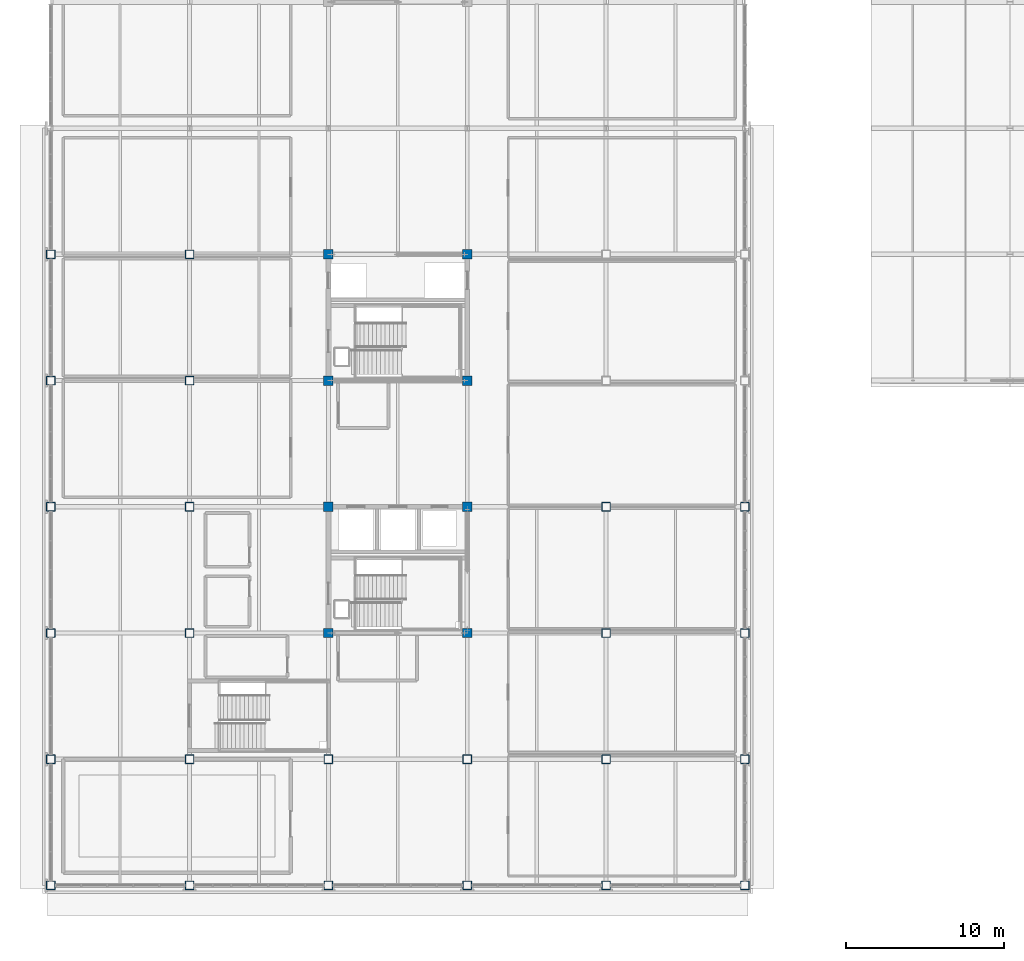
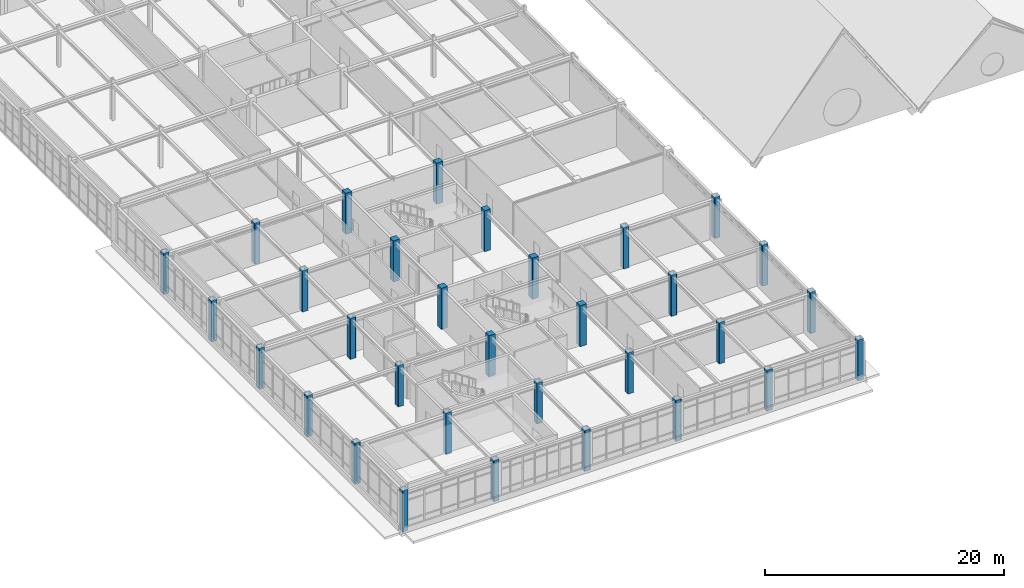
# One storey, part 1 of 64: 32 columns.
"""IFC4 building model written with IfcOpenShell, lengths in metres."""

from ifc_helpers import new_model, si_unit, direction, frame, origin, origin_2d, place, context, subcontext, project, spatial, rectangle, hollow_rectangle, extrude, material, material_profile, profile_set, type_object, element, save


model = new_model("IFC4")

# Units and contexts
model_context = context("Model", 3, precision=1e-05, world=origin(), true_north=direction((0.0, 1.0)))
body_context = subcontext(model_context, "Body", "Model", "MODEL_VIEW")
ifc_project = project(units=[si_unit("LENGTHUNIT", "METRE"), si_unit("AREAUNIT", "SQUARE_METRE"), si_unit("VOLUMEUNIT", "CUBIC_METRE"), si_unit("PLANEANGLEUNIT", "RADIAN"), si_unit("MASSUNIT", "GRAM", prefix="KILO")], contexts=[model_context])

# Site, building, storey
site_placement = place(None, origin())
site = spatial("IfcSite", under=ifc_project, at=site_placement, CompositionType="ELEMENT")
building_placement = place(site_placement, origin())
building = spatial("IfcBuilding", under=site, at=building_placement, Name="Zhaolan Boulevard Law Courts", CompositionType="ELEMENT")
storey_placement = place(building_placement, frame((0.0, 0.0, 20.39990234375)))
storey = spatial("IfcBuildingStorey", under=building, at=storey_placement, Name="L04", CompositionType="ELEMENT", Elevation=20.39990234375)

# Columns
ifc_material_1 = material(Name="Structural steel Q390B", Category="steel")
ifc_material_profile_1 = material_profile(ifc_material_1, hollow_rectangle(XDim=0.550048828125, YDim=0.550048828125, WallThickness=0.02197265625, InnerFilletRadius=0.02197265625, OuterFilletRadius=0.0439453125, at=origin_2d()), Name="BOX550x550x22")
ifc_profile_set_1 = profile_set([ifc_material_profile_1], Name="Structural steel Q390B")
column_type_1 = type_object("IfcColumnType", Name="COL BOX550", PredefinedType="COLUMN", material=ifc_profile_set_1)
for number, where, z_axis, x_axis, name in (
    (1, (0.0, 30.0, 0.0), (0.0, 0.0, 1.0), (1.0, 0.0, 0.0), "Column C-1E (L04)"),
    (2, (0.0, 38.0, 0.0), (0.0, 0.0, 1.0), (1.0, 0.0, 0.0), "Column C-1F (L04)"),
    (3, (0.0, 46.0, 0.0), (0.0, 0.0, 1.0), (1.0, 0.0, 0.0), "Column C-1G (L04)"),
    (4, (0.0, 54.0, 0.0), (0.0, 0.0, 1.0), (1.0, 0.0, 0.0), "Column C-1H (L04)"),
    (5, (0.0, 62.0, 0.0), (0.0, 0.0, 1.0), (1.0, 0.0, 0.0), "Column C-1J (L04)"),
    (6, (0.0, 70.0, 0.0), (0.0, 0.0, 1.0), (1.0, 0.0, 0.0), "Column C-1K (L04)"),
    (7, (8.800048828125, 30.0, 0.0), (0.0, 0.0, 1.0), (1.0, 0.0, 0.0), "Column C-2E (L04)"),
    (8, (8.800048828125, 38.0, 0.0), (0.0, 0.0, 1.0), (1.0, 0.0, 0.0), "Column C-2F (L04)"),
    (9, (8.800048828125, 46.0, 0.0), (0.0, 0.0, 1.0), (1.0, 0.0, 0.0), "Column C-2G (L04)"),
    (10, (8.800048828125, 54.0, 0.0), (0.0, 0.0, 1.0), (1.0, 0.0, 0.0), "Column C-2H (L04)"),
    (11, (8.800048828125, 62.0, 0.0), (0.0, 0.0, 1.0), (1.0, 0.0, 0.0), "Column C-2J (L04)"),
    (12, (8.800048828125, 70.0, 0.0), (0.0, 0.0, 1.0), (1.0, 0.0, 0.0), "Column C-2K (L04)"),
    (13, (17.60009765625, 30.0, 0.0), (0.0, 0.0, 1.0), (1.0, 0.0, 0.0), "Column C-3E (L04)"),
    (14, (17.60009765625, 38.0, 0.0), (0.0, 0.0, 1.0), (1.0, 0.0, 0.0), "Column C-3F (L04)"),
    (15, (26.39990234375, 30.0, 0.0), (0.0, 0.0, 1.0), (1.0, 0.0, 0.0), "Column C-4E (L04)"),
    (16, (26.39990234375, 38.0, 0.0), (0.0, 0.0, 1.0), (1.0, 0.0, 0.0), "Column C-4F (L04)"),
    (17, (35.199951171875, 30.0, 0.0), (0.0, 0.0, 1.0), (1.0, 0.0, 0.0), "Column C-5E (L04)"),
    (18, (35.199951171875, 38.0, 0.0), (0.0, 0.0, 1.0), (1.0, 0.0, 0.0), "Column C-5F (L04)"),
    (19, (35.199951171875, 46.0, 0.0), (0.0, 0.0, 1.0), (1.0, 0.0, 0.0), "Column C-5G (L04)"),
    (20, (35.199951171875, 54.0, 0.0), (0.0, 0.0, 1.0), (1.0, 0.0, 0.0), "Column C-5H (L04)"),
    (21, (44.0, 30.0, 0.0), (0.0, 0.0, 1.0), (1.0, 0.0, 0.0), "Column C-6E (L04)"),
    (22, (44.0, 38.0, 0.0), (0.0, 0.0, 1.0), (1.0, 0.0, 0.0), "Column C-6F (L04)"),
    (23, (44.0, 46.0, 0.0), (0.0, 0.0, 1.0), (1.0, 0.0, 0.0), "Column C-6G (L04)"),
    (24, (44.0, 54.0, 0.0), (0.0, 0.0, 1.0), (1.0, 0.0, 0.0), "Column C-6H (L04)"),
):
    element("IfcColumn", number, at=place(storey_placement, frame(where, z_axis=z_axis, x_axis=x_axis)), inside=storey, type_object=column_type_1, Name=name, PredefinedType="COLUMN", context=body_context, shape_type="SweptSolid", body=[
        extrude(hollow_rectangle(XDim=0.550048828125, YDim=0.550048828125, WallThickness=0.02197265625, InnerFilletRadius=0.02197265625, OuterFilletRadius=0.0439453125, at=origin_2d()), origin(), (0.0, 0.0, 1.0), 4.2001953125),
    ])
ifc_material_2 = material(Name="Concrete C50", Category="concrete")
ifc_material_profile_2 = material_profile(ifc_material_2, rectangle(XDim=0.60009765625, YDim=0.60009765625, at=origin_2d()), Name="RC600x600")
ifc_profile_set_2 = profile_set([ifc_material_profile_2], Name="Concrete C50")
column_type_2 = type_object("IfcColumnType", Name="COL RC600", PredefinedType="COLUMN", material=ifc_profile_set_2)
for number, where, z_axis, x_axis, name in (
    (25, (17.60009765625, 46.0, 0.0), (0.0, 0.0, 1.0), (1.0, 0.0, 0.0), "Column C-3G (L04)"),
    (26, (17.60009765625, 54.0, 0.0), (0.0, 0.0, 1.0), (1.0, 0.0, 0.0), "Column C-3H (L04)"),
    (27, (17.60009765625, 62.0, 0.0), (0.0, 0.0, 1.0), (1.0, 0.0, 0.0), "Column C-3J (L04)"),
    (28, (17.60009765625, 70.0, 0.0), (0.0, 0.0, 1.0), (1.0, 0.0, 0.0), "Column C-3K (L04)"),
    (29, (26.39990234375, 46.0, 0.0), (0.0, 0.0, 1.0), (1.0, 0.0, 0.0), "Column C-4G (L04)"),
    (30, (26.39990234375, 54.0, 0.0), (0.0, 0.0, 1.0), (1.0, 0.0, 0.0), "Column C-4H (L04)"),
    (31, (26.39990234375, 62.0, 0.0), (0.0, 0.0, 1.0), (1.0, 0.0, 0.0), "Column C-4J (L04)"),
    (32, (26.39990234375, 70.0, 0.0), (0.0, 0.0, 1.0), (1.0, 0.0, 0.0), "Column C-4K (L04)"),
):
    element("IfcColumn", number, at=place(storey_placement, frame(where, z_axis=z_axis, x_axis=x_axis)), inside=storey, type_object=column_type_2, Name=name, PredefinedType="COLUMN", context=body_context, shape_type="SweptSolid", body=[
        extrude(rectangle(XDim=0.60009765625, YDim=0.60009765625, at=origin_2d()), origin(), (0.0, 0.0, 1.0), 4.2001953125),
    ])

save(model, "model.ifc")
